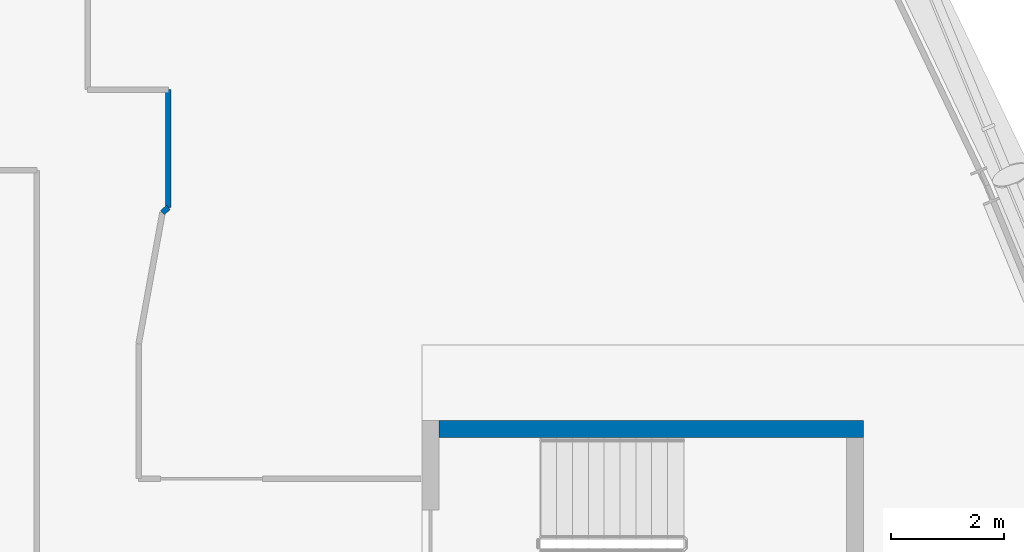
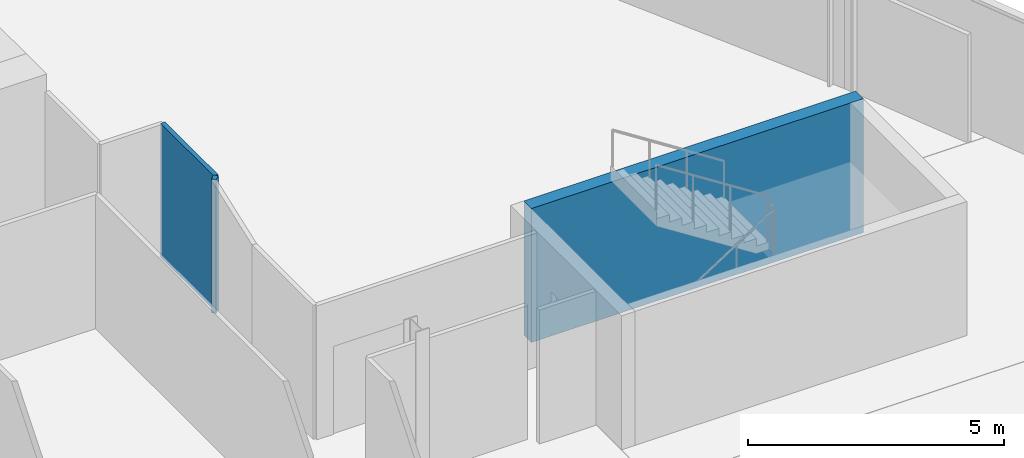
# One storey, part 16 of 26: 3 walls.
"""IFC4 building model written with IfcOpenShell, lengths in metres."""

import ifcopenshell
import ifcopenshell.guid

model = None  # the IFC model being written
_history = None  # IfcOwnerHistory: only IFC2X3 demands one
_inside = {}  # id of a spatial element -> (the spatial element, [elements in it])
_under = {}  # id of a project, library or spatial element -> (it, [spatial elements below it])
_declared = {}  # id of a project -> (the project, [libraries it declares])
_typed = {}  # id of a type object -> (the type object, [elements of that type])
_made_of = {}  # id of a material, layer set ... -> (it, [elements and type objects made of it])


def new_model(schema):
    """Start an empty IFC model of exactly this schema.

    Asked for "IFC4X3", IfcOpenShell would pick the latest addendum, in which some entities
    have other attributes; the version numbers below select the first issue.
    IFC2X3 requires an IfcOwnerHistory on every rooted entity: one is made here for all.
    """
    global model, _history
    if schema == "IFC4X3":
        model = ifcopenshell.file(schema_version=(4, 3, 0, 0))
    else:
        model = ifcopenshell.file(schema=schema)
    _inside.clear()
    _under.clear()
    _declared.clear()
    _typed.clear()
    _made_of.clear()
    _history = None
    if model.schema == "IFC2X3":
        org = make("IfcOrganization", Name="unknown")
        user = make(
            "IfcPersonAndOrganization",
            ThePerson=make("IfcPerson", FamilyName="unknown"),
            TheOrganization=org,
        )
        app = make(
            "IfcApplication",
            ApplicationDeveloper=org,
            Version="unknown",
            ApplicationFullName="unknown",
            ApplicationIdentifier="unknown",
        )
        _history = make(
            "IfcOwnerHistory",
            OwningUser=user,
            OwningApplication=app,
            ChangeAction="ADDED",
            CreationDate=0,
        )
    return model


def make(cls, **values):
    """One entity of the class cls with the attributes given. An attribute that is None is left unset."""
    return model.create_entity(
        cls, **{name: value for name, value in values.items() if value is not None}
    )


def rooted(cls, **values):
    """An entity with a GlobalId (a new one), such as an element, a storey or a relation."""
    return make(cls, GlobalId=ifcopenshell.guid.new(), OwnerHistory=_history, **values)


def si_unit(unit_type, name, prefix=None):
    """IfcSIUnit, for example si_unit("LENGTHUNIT", "METRE", prefix="MILLI")."""
    return make("IfcSIUnit", UnitType=unit_type, Prefix=prefix, Name=name)


def assignment(units):
    """IfcUnitAssignment: the units of a project."""
    return None if units is None else make("IfcUnitAssignment", Units=units)


def point(xyz):
    """IfcCartesianPoint."""
    return None if xyz is None else make("IfcCartesianPoint", Coordinates=xyz)


def direction(xyz):
    """IfcDirection."""
    return None if xyz is None else make("IfcDirection", DirectionRatios=xyz)


def frame(location, z_axis=None, x_axis=None):
    """IfcAxis2Placement3D, a coordinate frame: its origin and axes. An axis left out is left unset."""
    return make(
        "IfcAxis2Placement3D",
        Location=point(location),
        Axis=direction(z_axis),
        RefDirection=direction(x_axis),
    )


def frame_2d(location, x_axis=None):
    """IfcAxis2Placement2D, a coordinate frame in the plane: its origin and x axis."""
    return make(
        "IfcAxis2Placement2D", Location=point(location), RefDirection=direction(x_axis)
    )


def origin():
    """The frame at (0, 0, 0) with its axes left unset."""
    return frame((0.0, 0.0, 0.0))


def place(relative_to, where):
    """IfcLocalPlacement: puts the frame where relative to a parent placement (None: the world)."""
    return make(
        "IfcLocalPlacement", PlacementRelTo=relative_to, RelativePlacement=where
    )


def context(
    kind, dimensions, precision=None, world=None, true_north=None, identifier=None
):
    """IfcGeometricRepresentationContext, for example the 3D "Model" context."""
    return make(
        "IfcGeometricRepresentationContext",
        ContextIdentifier=identifier,
        ContextType=kind,
        CoordinateSpaceDimension=dimensions,
        Precision=precision,
        WorldCoordinateSystem=world,
        TrueNorth=true_north,
    )


def subcontext(parent, identifier, kind, view, scale=None):
    """IfcGeometricRepresentationSubContext, for example "Body" below "Model"."""
    return make(
        "IfcGeometricRepresentationSubContext",
        ContextIdentifier=identifier,
        ContextType=kind,
        ParentContext=parent,
        TargetScale=scale,
        TargetView=view,
    )


def project(units=None, contexts=None):
    """IfcProject with its units and contexts."""
    return rooted(
        "IfcProject",
        Name="project",
        RepresentationContexts=contexts,
        UnitsInContext=assignment(units),
    )


def spatial(cls, under=None, at=None, **own):
    """A site, building, storey or space (cls), placed at a placement, below another one or the project."""
    s = rooted(cls, ObjectPlacement=at, **own)
    if under is not None:
        _under.setdefault(under.id(), (under, []))[1].append(s)
    return s


def profile(cls, at=None, kind="AREA", **sizes):
    """A parametric profile (cls). Its sizes go by their IFC names, for example OverallWidth=200.0."""
    return make(cls, ProfileType=kind, Position=at, **sizes)


def rectangle(**sizes):
    """IfcRectangleProfileDef."""
    return profile("IfcRectangleProfileDef", **sizes)


def extrude(swept, where, along, depth):
    """IfcExtrudedAreaSolid: the profile swept, set in the frame where, extruded along a direction by depth."""
    return make(
        "IfcExtrudedAreaSolid",
        SweptArea=swept,
        Position=where,
        ExtrudedDirection=direction(along),
        Depth=depth,
    )


def shape(context_of_items, identifier, shape_type, items):
    """IfcShapeRepresentation: the items that make up one representation, for example the "Body"."""
    return make(
        "IfcShapeRepresentation",
        ContextOfItems=context_of_items,
        RepresentationIdentifier=identifier,
        RepresentationType=shape_type,
        Items=items,
    )


def material(Name=None, Category=None):
    """IfcMaterial."""
    return make("IfcMaterial", Name=Name, Category=Category)


def layer(
    of_material, thickness, ventilated=None, Name=None, Category=None, Priority=None
):
    """IfcMaterialLayer: one layer of a wall or slab, of a material (None: an air gap)."""
    return make(
        "IfcMaterialLayer",
        Material=of_material,
        LayerThickness=thickness,
        IsVentilated=ventilated,
        Name=Name,
        Category=Category,
        Priority=Priority,
    )


def layer_set(layers, Name=None):
    """IfcMaterialLayerSet."""
    return make("IfcMaterialLayerSet", MaterialLayers=layers, LayerSetName=Name)


def made_of(thing, what):
    """Note that an element or type object is made of a material, layer set ...; save() writes the relation."""
    if what is not None:
        _made_of.setdefault(what.id(), (what, []))[1].append(thing)
    return thing


def type_object(cls, material=None, **own):
    """A type object (cls), such as IfcWallType, which elements share."""
    return made_of(rooted(cls, **own), material)


def element(
    cls,
    number,
    at=None,
    inside=None,
    cuts=None,
    type_object=None,
    material=None,
    context=None,
    identifier="Body",
    shape_type=None,
    held_by="IfcProductDefinitionShape",
    body=None,
    shapes=None,
    **own,
):
    """One element of the class cls, such as IfcWall. Its Tag is "e" and its number.

    at: its placement. inside: the storey or other place that contains it. cuts: it is an
    opening in that element (IfcRelVoidsElement). A single representation is given by context,
    identifier, shape_type and body (its items); several are given by shapes. held_by: the class
    of the entity that holds the representations. save() writes the other relations.
    """
    e = rooted(cls, Tag="e%d" % number, ObjectPlacement=at, **own)
    if body is not None:
        shapes = [shape(context, identifier, shape_type, body)]
    if shapes is not None:
        e.Representation = make(held_by, Representations=shapes)
    if inside is not None:
        _inside.setdefault(inside.id(), (inside, []))[1].append(e)
    if cuts is not None:
        rooted(
            "IfcRelVoidsElement", RelatingBuildingElement=cuts, RelatedOpeningElement=e
        )
    if type_object is not None:
        _typed.setdefault(type_object.id(), (type_object, []))[1].append(e)
    return made_of(e, material)


def aggregate(whole, parts):
    """IfcRelAggregates: a whole, such as a stair, and the parts it consists of."""
    return rooted("IfcRelAggregates", RelatingObject=whole, RelatedObjects=parts)


def save(model, path):
    """Write the relations noted so far, then the file.

    IfcRelAggregates (storeys below a building ...), IfcRelContainedInSpatialStructure (elements
    in a storey), IfcRelDefinesByType, IfcRelAssociatesMaterial and IfcRelDeclares: one each for
    every whole, place, type object, material and project.
    """
    for whole, parts in _under.values():
        aggregate(whole, parts)
    for where, things in _inside.values():
        rooted(
            "IfcRelContainedInSpatialStructure",
            RelatedElements=things,
            RelatingStructure=where,
        )
    for kind, things in _typed.values():
        rooted("IfcRelDefinesByType", RelatedObjects=things, RelatingType=kind)
    for what, things in _made_of.values():
        rooted("IfcRelAssociatesMaterial", RelatedObjects=things, RelatingMaterial=what)
    for by, libraries in _declared.values():
        rooted("IfcRelDeclares", RelatingContext=by, RelatedDefinitions=libraries)
    model.write(path)


model = new_model("IFC4")

# Units and contexts
model_context = context("Model", 3, precision=1e-05, world=origin(), true_north=direction((0.0, 1.0)))
body_context = subcontext(model_context, "Body", "Model", "MODEL_VIEW")
ifc_project = project(units=[si_unit("LENGTHUNIT", "METRE"), si_unit("AREAUNIT", "SQUARE_METRE"), si_unit("VOLUMEUNIT", "CUBIC_METRE"), si_unit("PLANEANGLEUNIT", "RADIAN"), si_unit("MASSUNIT", "GRAM", prefix="KILO")], contexts=[model_context])

# Site, building, storey
site_placement = place(None, origin())
site = spatial("IfcSite", under=ifc_project, at=site_placement, CompositionType="ELEMENT")
building_placement = place(site_placement, origin())
building = spatial("IfcBuilding", under=site, at=building_placement, Name="Wharfspan Tower", CompositionType="ELEMENT")
storey_placement = place(building_placement, frame((0.0, 0.0, 180.699951)))
storey = spatial("IfcBuildingStorey", under=building, at=storey_placement, Name="L44", CompositionType="ELEMENT", Elevation=180.699951)

# Walls
ifc_material_1 = material(Name="Gypsum board on steel studs", Category="steel")
ifc_layer_1 = layer(ifc_material_1, 0.100098)
ifc_layer_set_1 = layer_set([ifc_layer_1], Name="Gypsum board on steel studs")
wall_type_1 = type_object("IfcWallType", Name="Compartment wall 100 EI 60", PredefinedType="PARTITIONING", material=ifc_layer_set_1)
wall_1_placement = place(storey_placement, frame((59.320068, 29.75, 0.0), z_axis=(0.0, 0.0, 1.0), x_axis=(0.741581, 0.670872, 0.0)))
element("IfcWall", 1, at=wall_1_placement, inside=storey, type_object=wall_type_1, Name="Partition L44.w041", PredefinedType="PARTITIONING", context=body_context, shape_type="SweptSolid", body=[
    extrude(rectangle(XDim=0.141602, YDim=0.100098, at=frame_2d((0.070801, 0.0))), origin(), (0.0, 0.0, 1.0), 3.199951),
])
wall_2_placement = place(storey_placement, frame((59.425049, 29.844971, 0.0), z_axis=(0.0, 0.0, 1.0), x_axis=(0.0, 1.0, 0.0)))
element("IfcWall", 2, at=wall_2_placement, inside=storey, type_object=wall_type_1, Name="Partition L44.w042", PredefinedType="PARTITIONING", context=body_context, shape_type="SweptSolid", body=[
    extrude(rectangle(XDim=2.080078, YDim=0.100098, at=frame_2d((1.040039, 0.0))), origin(), (0.0, 0.0, 1.0), 3.199951),
])
ifc_material_2 = material(Name="Concrete C40/50", Category="concrete")
ifc_layer_2 = layer(ifc_material_2, 0.300049)
ifc_layer_set_2 = layer_set([ifc_layer_2], Name="Concrete C40/50")
wall_type_2 = type_object("IfcWallType", Name="Stair core wall 300", PredefinedType="SHEAR", material=ifc_layer_set_2)
wall_3_placement = place(storey_placement, frame((64.20459, 25.925049, 0.0), z_axis=(0.0, 0.0, 1.0), x_axis=(1.0, 0.0, 0.0)))
element("IfcWall", 3, at=wall_3_placement, inside=storey, type_object=wall_type_2, Name="ST6 stair enclosure wall L44", PredefinedType="SHEAR", context=body_context, shape_type="SweptSolid", body=[
    extrude(rectangle(XDim=7.5, YDim=0.300049, at=frame_2d((3.75, 0.0))), origin(), (0.0, 0.0, 1.0), 3.199951),
])

save(model, "model.ifc")
